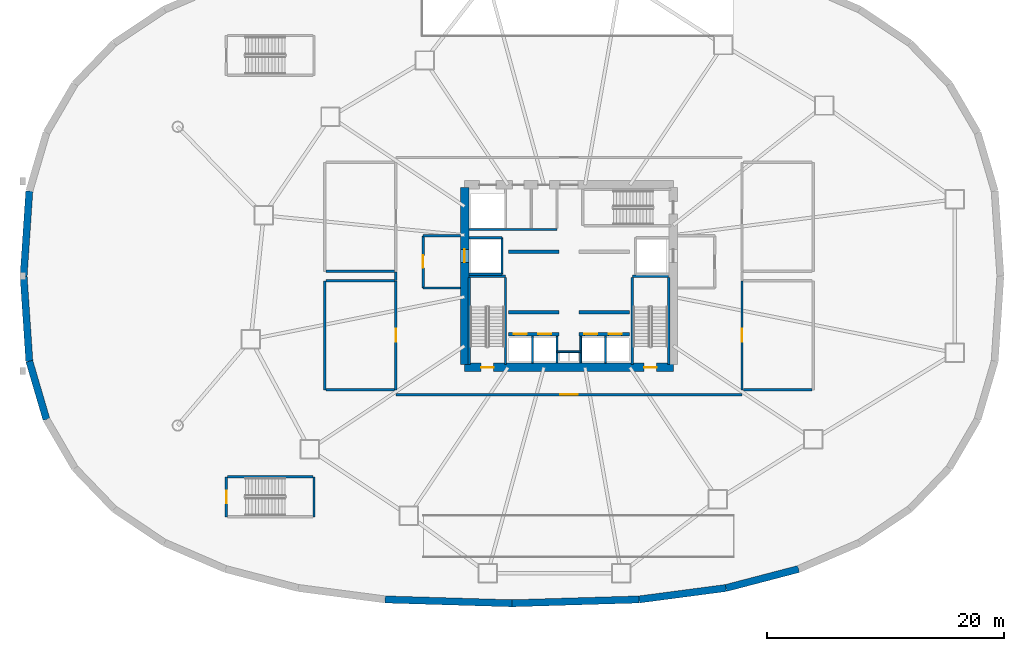
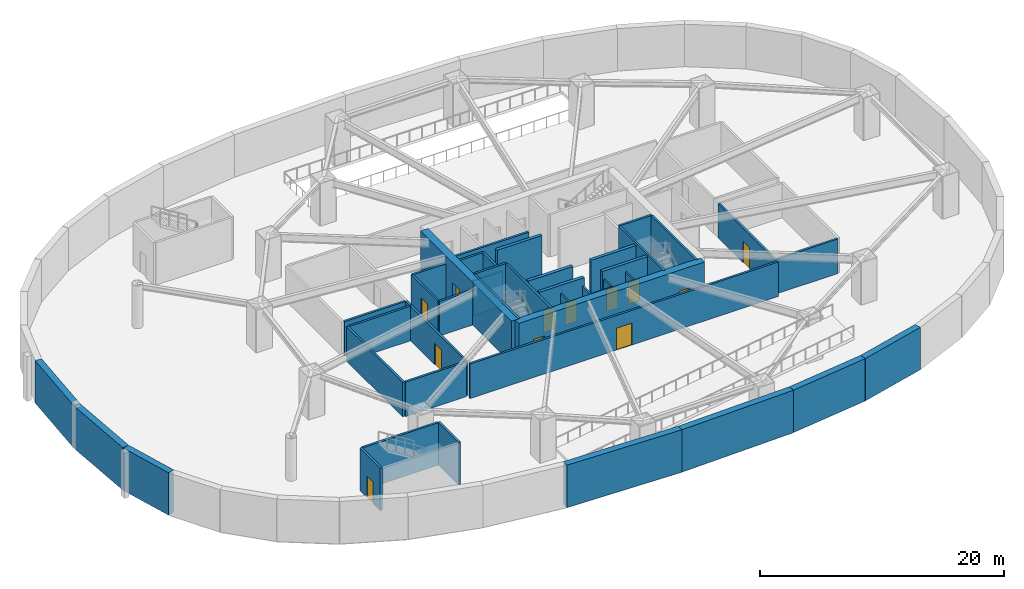
# One storey, part 3 of 10: 44 walls, 12 doors, 12 openings.
"""IFC4 building model written with IfcOpenShell, lengths in metres."""

from ifc_helpers import new_model, si_unit, direction, frame, frame_2d, origin, place, context, subcontext, project, spatial, rectangle, extrude, source, transform, mapped, material, layer, layer_set, type_object, element, fill, save


model = new_model("IFC4")

# Units and contexts
model_context = context("Model", 3, precision=1e-05, world=origin(), true_north=direction((0.0, 1.0)))
body_context = subcontext(model_context, "Body", "Model", "MODEL_VIEW")
ifc_project = project(units=[si_unit("LENGTHUNIT", "METRE"), si_unit("AREAUNIT", "SQUARE_METRE"), si_unit("VOLUMEUNIT", "CUBIC_METRE"), si_unit("PLANEANGLEUNIT", "RADIAN"), si_unit("MASSUNIT", "GRAM", prefix="KILO"), si_unit("THERMODYNAMICTEMPERATUREUNIT", "KELVIN")], contexts=[model_context])

# Site, building, storey
site_placement = place(None, origin())
site = spatial("IfcSite", under=ifc_project, at=site_placement, CompositionType="ELEMENT")
building_placement = place(site_placement, origin())
building = spatial("IfcBuilding", under=site, at=building_placement, Name="Kethvar Cultural Tower", CompositionType="ELEMENT")
storey_placement = place(building_placement, frame((0.0, 0.0, -4.5)))
storey = spatial("IfcBuildingStorey", under=building, at=storey_placement, Name="B01", CompositionType="ELEMENT", Elevation=-4.5)

# Walls
ifc_material_1 = material(Name="Concrete C45/55", Category="concrete")
ifc_layer_1 = layer(ifc_material_1, 0.60009765625, Name="Concrete C45/55", Category="concrete")
ifc_layer_set_1 = layer_set([ifc_layer_1], Name="Concrete C45/55 (600 mm)")
wall_type_1 = type_object("IfcWallType", Name="WL-BSMT-600", PredefinedType="SHEAR", material=ifc_layer_set_1)
wall_1_placement = place(storey_placement, frame((1.2822265625, 34.978515625, 0.0), z_axis=(0.0, 0.0, 1.0), x_axis=(-0.067018998283, -0.997751699507, 0.0)))
element("IfcWall", 1, at=wall_1_placement, inside=storey, type_object=wall_type_1, Name="B01 Perimeter Retaining Wall 18", PredefinedType="SHEAR", context=body_context, shape_type="SweptSolid", body=[
    extrude(rectangle(XDim=7.194580078125, YDim=0.60009765625, at=frame_2d((3.59716796875, 0.0))), origin(), (0.0, 0.0, 1.0), 4.25),
])
wall_2_placement = place(storey_placement, frame((0.800048828125, 27.800048828125, 0.0), z_axis=(0.0, 0.0, 1.0), x_axis=(0.067016729273, -0.997751851914, 0.0)))
element("IfcWall", 2, at=wall_2_placement, inside=storey, type_object=wall_type_1, Name="B01 Perimeter Retaining Wall 19", PredefinedType="SHEAR", context=body_context, shape_type="SweptSolid", body=[
    extrude(rectangle(XDim=7.19482421875, YDim=0.60009765625, at=frame_2d((3.597412109375, 0.0))), origin(), (0.0, 0.0, 1.0), 4.25),
])
wall_3_placement = place(storey_placement, frame((1.2822265625, 20.621337890625, 0.0), z_axis=(0.0, 0.0, 1.0), x_axis=(0.281735210535, -0.959492194416, 0.0)))
element("IfcWall", 3, at=wall_3_placement, inside=storey, type_object=wall_type_1, Name="B01 Perimeter Retaining Wall 20", PredefinedType="SHEAR", context=body_context, shape_type="SweptSolid", body=[
    extrude(rectangle(XDim=5.12060546875, YDim=0.60009765625, at=frame_2d((2.560302734375, 0.0))), origin(), (0.0, 0.0, 1.0), 4.25),
])
for number, where, z_axis, x_axis, name in (
    (4, (31.2841796875, 0.523193359375, 0.0), (0.0, 0.0, 1.0), (0.999545348136, -0.030151235782, 0.0), "B01 Perimeter Retaining Wall 27"),
    (5, (42.0, 0.199951171875, 0.0), (0.0, 0.0, 1.0), (0.999545348136, 0.030151235782, 0.0), "B01 Perimeter Retaining Wall 28"),
):
    element("IfcWall", number, at=place(storey_placement, frame(where, z_axis=z_axis, x_axis=x_axis)), inside=storey, type_object=wall_type_1, Name=name, PredefinedType="SHEAR", context=body_context, shape_type="SweptSolid", body=[
        extrude(rectangle(XDim=10.720703125, YDim=0.60009765625, at=frame_2d((5.3603515625, 0.0))), origin(), (0.0, 0.0, 1.0), 4.25),
    ])
wall_4_placement = place(storey_placement, frame((52.7158203125, 0.523193359375, 0.0), z_axis=(0.0, 0.0, 1.0), x_axis=(0.991431364125, 0.130628673076, 0.0)))
element("IfcWall", 6, at=wall_4_placement, inside=storey, type_object=wall_type_1, Name="B01 Perimeter Retaining Wall 29", PredefinedType="SHEAR", context=body_context, shape_type="SweptSolid", body=[
    extrude(rectangle(XDim=7.3974609375, YDim=0.60009765625, at=frame_2d((3.69873046875, 0.0))), origin(), (0.0, 0.0, 1.0), 4.25),
])
wall_5_placement = place(storey_placement, frame((60.0498046875, 1.489501953125, 0.0), z_axis=(0.0, 0.0, 1.0), x_axis=(0.967458151093, 0.253031076914, 0.0)))
element("IfcWall", 7, at=wall_5_placement, inside=storey, type_object=wall_type_1, Name="B01 Perimeter Retaining Wall 30", PredefinedType="SHEAR", context=body_context, shape_type="SweptSolid", body=[
    extrude(rectangle(XDim=6.32958984375, YDim=0.60009765625, at=frame_2d((3.164794921875, 0.0))), origin(), (0.0, 0.0, 1.0), 4.25),
])

# Wall, openings, doors
ifc_material_2 = material(Name="Concrete C60/75", Category="concrete")
ifc_layer_2 = layer(ifc_material_2, 0.699951171875, Name="Concrete C60/75", Category="concrete")
ifc_layer_set_2 = layer_set([ifc_layer_2], Name="Concrete C60/75 (700 mm)")
wall_type_2 = type_object("IfcWallType", Name="WL-CORE-700", PredefinedType="SHEAR", material=ifc_layer_set_2)
wall_6_placement = place(storey_placement, frame((38.0, 20.10009765625, 0.0), z_axis=(0.0, 0.0, 1.0), x_axis=(1.0, 0.0, 0.0)))
wall_6 = element("IfcWall", 8, at=wall_6_placement, inside=storey, type_object=wall_type_2, Name="B01 Core Shear Wall S", PredefinedType="SHEAR", context=body_context, shape_type="SweptSolid", body=[
    extrude(rectangle(XDim=17.60009765625, YDim=0.699951171875, at=frame_2d((8.800048828125, 0.0))), origin(), (0.0, 0.0, 1.0), 4.25),
])
opening_1_placement = place(wall_6_placement, frame((1.39990234375, 0.0, 0.0)))
opening_1 = element("IfcOpeningElement", 9, at=opening_1_placement, cuts=wall_6, Name="Opening D-B01-S1", PredefinedType="OPENING", context=body_context, shape_type="SweptSolid", body=[
    extrude(rectangle(XDim=1.050048828125, YDim=2.14990234375, at=frame_2d((0.52490234375, 1.074951171875))), frame((0.0, 0.35986328125, 0.0), z_axis=(0.0, -1.0, 0.0), x_axis=(1.0, 0.0, 0.0)), (0.0, 0.0, 1.0), 0.719970703125),
])
opening_2_placement = place(wall_6_placement, frame((15.14990234375, 0.0, 0.0)))
opening_2 = element("IfcOpeningElement", 10, at=opening_2_placement, cuts=wall_6, Name="Opening D-B01-ST2", PredefinedType="OPENING", context=body_context, shape_type="SweptSolid", body=[
    extrude(rectangle(XDim=1.050048828125, YDim=2.14990234375, at=frame_2d((0.52490234375, 1.074951171875))), frame((0.0, 0.35986328125, 0.0), z_axis=(0.0, -1.0, 0.0), x_axis=(1.0, 0.0, 0.0)), (0.0, 0.0, 1.0), 0.719970703125),
])
ifc_material_3 = material(Name="Steel S355J2", Category="steel")
door_type_1 = type_object("IfcDoorType", Name="DR-FD60-1050", OperationType="NOTDEFINED", PredefinedType="DOOR", material=ifc_material_3)
shared_shape_1 = source(origin(), body_context, "Body", "SweptSolid", [
    extrude(rectangle(XDim=1.050048828125, YDim=2.14990234375, at=frame_2d((0.52490234375, 1.074951171875))), frame((0.0, 0.02490234375, 0.0), z_axis=(0.0, -1.0, 0.0), x_axis=(1.0, 0.0, 0.0)), (0.0, 0.0, 1.0), 0.050048828125),
])
door_1_placement = place(opening_1_placement, origin())
door_1 = element("IfcDoor", 11, at=door_1_placement, inside=storey, type_object=door_type_1, Name="B01 Exit Stair 1 Door", OperationType="SINGLE_SWING_LEFT", OverallHeight=2.14990234375, OverallWidth=1.050048828125, PredefinedType="DOOR", context=body_context, shape_type="MappedRepresentation", body=[
    mapped(shared_shape_1, transform((0.0, 0.0, 0.0), scale=1.0)),
])
fill(opening_1, door_1)
door_2_placement = place(opening_2_placement, origin())
door_2 = element("IfcDoor", 12, at=door_2_placement, inside=storey, type_object=door_type_1, Name="B01 Exit Stair 2 Door", OperationType="SINGLE_SWING_RIGHT", OverallHeight=2.14990234375, OverallWidth=1.050048828125, PredefinedType="DOOR", context=body_context, shape_type="MappedRepresentation", body=[
    mapped(shared_shape_1, transform((0.0, 0.0, 0.0), scale=1.0)),
])
fill(opening_2, door_2)

# Wall, opening, door
wall_7_placement = place(storey_placement, frame((38.0, 35.260009765625, 0.0), z_axis=(0.0, 0.0, 1.0), x_axis=(0.0, -1.0, 0.0)))
wall_7 = element("IfcWall", 13, at=wall_7_placement, inside=storey, type_object=wall_type_2, Name="B01 Core Shear Wall W", PredefinedType="SHEAR", context=body_context, shape_type="SweptSolid", body=[
    extrude(rectangle(XDim=14.919921875, YDim=0.699951171875, at=frame_2d((7.4599609375, 0.0))), origin(), (0.0, 0.0, 1.0), 4.25),
])
opening_3_placement = place(wall_7_placement, frame((5.2099609375, 0.0, 0.0)))
opening_3 = element("IfcOpeningElement", 14, at=opening_3_placement, cuts=wall_7, Name="Opening LD-1", PredefinedType="OPENING", context=body_context, shape_type="SweptSolid", body=[
    extrude(rectangle(XDim=1.10009765625, YDim=2.199951171875, at=frame_2d((0.550048828125, 1.10009765625))), frame((0.0, 0.35986328125, 0.0), z_axis=(0.0, -1.0, 0.0), x_axis=(1.0, 0.0, 0.0)), (0.0, 0.0, 1.0), 0.719970703125),
])
door_type_2 = type_object("IfcDoorType", Name="DR-LIFT-SLIDE-1100", OperationType="NOTDEFINED", PredefinedType="DOOR", material=ifc_material_3)
shared_shape_2 = source(origin(), body_context, "Body", "SweptSolid", [
    extrude(rectangle(XDim=1.10009765625, YDim=2.199951171875, at=frame_2d((0.550048828125, 1.10009765625))), frame((0.0, 0.02490234375, 0.0), z_axis=(0.0, -1.0, 0.0), x_axis=(1.0, 0.0, 0.0)), (0.0, 0.0, 1.0), 0.050048828125),
])
door_3_placement = place(opening_3_placement, origin())
door_3 = element("IfcDoor", 15, at=door_3_placement, inside=storey, type_object=door_type_2, Name="B01 Firefighting Lift Landing Door FFL-01", OperationType="SLIDING_TO_LEFT", OverallHeight=2.199951171875, OverallWidth=1.10009765625, PredefinedType="DOOR", context=body_context, shape_type="MappedRepresentation", body=[
    mapped(shared_shape_2, transform((0.0, 0.0, 0.0), scale=1.0)),
])
fill(opening_3, door_3)

# Walls
ifc_material_4 = material(Name="Gypsum Fireboard Partition")
ifc_layer_3 = layer(ifc_material_4, 0.14990234375, Name="Gypsum Fireboard Partition")
ifc_layer_set_3 = layer_set([ifc_layer_3], Name="Gypsum Fireboard Partition (150 mm)")
wall_type_3 = type_object("IfcWallType", Name="WL-FIRE-150", PredefinedType="PARTITIONING", material=ifc_layer_set_3)
wall_8_placement = place(storey_placement, frame((45.800048828125, 21.419921875, 0.0), z_axis=(0.0, 0.0, 1.0), x_axis=(1.0, 0.0, 0.0)))
element("IfcWall", 16, at=wall_8_placement, inside=storey, type_object=wall_type_3, Name="B01 Core Riser Wall", PredefinedType="PARTITIONING", context=body_context, shape_type="SweptSolid", body=[
    extrude(rectangle(XDim=2.0, YDim=0.14990234375, at=frame_2d((1.0, 0.0))), origin(), (0.0, 0.0, 1.0), 3.462890625),
])
for number, where, z_axis, x_axis, name in (
    (17, (45.800048828125, 20.47998046875, 0.0), (0.0, 0.0, 1.0), (0.0, 1.0, 0.0), "B01 Core Riser West Wall"),
    (18, (47.800048828125, 20.47998046875, 0.0), (0.0, 0.0, 1.0), (0.0, 1.0, 0.0), "B01 Core Riser East Wall"),
):
    element("IfcWall", number, at=place(storey_placement, frame(where, z_axis=z_axis, x_axis=x_axis)), inside=storey, type_object=wall_type_3, Name=name, PredefinedType="PARTITIONING", context=body_context, shape_type="SweptSolid", body=[
        extrude(rectangle(XDim=2.239990234375, YDim=0.14990234375, at=frame_2d((1.1201171875, 0.0))), origin(), (0.0, 0.0, 1.0), 3.462890625),
    ])
for number, where, z_axis, x_axis, name in (
    (19, (43.72509765625, 20.4599609375, 0.0), (0.0, 0.0, 1.0), (0.0, 1.0, 0.0), "B01 Low-Rise Lift Shaft Divider W"),
    (20, (49.875, 20.4599609375, 0.0), (0.0, 0.0, 1.0), (0.0, 1.0, 0.0), "B01 Low-Rise Lift Shaft Divider E"),
):
    element("IfcWall", number, at=place(storey_placement, frame(where, z_axis=z_axis, x_axis=x_axis)), inside=storey, type_object=wall_type_3, Name=name, PredefinedType="PARTITIONING", context=body_context, shape_type="SweptSolid", body=[
        extrude(rectangle(XDim=2.27001953125, YDim=0.14990234375, at=frame_2d((1.135009765625, 0.0))), origin(), (0.0, 0.0, 1.0), 3.462890625),
    ])
ifc_material_5 = material(Name="Concrete C40/50", Category="concrete")
ifc_layer_4 = layer(ifc_material_5, 0.199951171875, Name="Concrete C40/50", Category="concrete")
ifc_layer_set_4 = layer_set([ifc_layer_4], Name="Concrete C40/50 (200 mm)")
wall_type_4 = type_object("IfcWallType", Name="WL-FIRE-200", PredefinedType="PARTITIONING", material=ifc_layer_set_4)
wall_9_placement = place(storey_placement, frame((41.14990234375, 27.949951171875, 0.0), z_axis=(0.0, 0.0, 1.0), x_axis=(0.0, 1.0, 0.0)))
element("IfcWall", 21, at=wall_9_placement, inside=storey, type_object=wall_type_4, Name="B01 FFL-01 Shaft Inner Wall", PredefinedType="PARTITIONING", context=body_context, shape_type="SweptSolid", body=[
    extrude(rectangle(XDim=3.10009765625, YDim=0.199951171875, at=frame_2d((1.550048828125, 0.0))), origin(), (0.0, 0.0, 1.0), 3.462890625),
])
for number, where, z_axis, x_axis, name in (
    (22, (38.360107421875, 27.949951171875, 0.0), (0.0, 0.0, 1.0), (1.0, 0.0, 0.0), "B01 FFL-01 Shaft South Wall"),
    (23, (38.360107421875, 31.050048828125, 0.0), (0.0, 0.0, 1.0), (1.0, 0.0, 0.0), "B01 FFL-01 Shaft North Wall"),
):
    element("IfcWall", number, at=place(storey_placement, frame(where, z_axis=z_axis, x_axis=x_axis)), inside=storey, type_object=wall_type_4, Name=name, PredefinedType="PARTITIONING", context=body_context, shape_type="SweptSolid", body=[
        extrude(rectangle(XDim=2.789794921875, YDim=0.199951171875, at=frame_2d((1.39501953125, 0.0))), origin(), (0.0, 0.0, 1.0), 3.462890625),
    ])

# Wall, opening, door
wall_10_placement = place(storey_placement, frame((34.5, 31.199951171875, 0.0), z_axis=(0.0, 0.0, 1.0), x_axis=(0.0, -1.0, 0.0)))
wall_10 = element("IfcWall", 24, at=wall_10_placement, inside=storey, type_object=wall_type_4, Name="B01 Firefighting Lobby 1 Wall", PredefinedType="PARTITIONING", context=body_context, shape_type="SweptSolid", body=[
    extrude(rectangle(XDim=4.39990234375, YDim=0.199951171875, at=frame_2d((2.199951171875, 0.0))), origin(), (0.0, 0.0, 1.0), 3.462890625),
])
opening_4_placement = place(wall_10_placement, frame((1.64990234375, 0.0, 0.0)))
opening_4 = element("IfcOpeningElement", 25, at=opening_4_placement, cuts=wall_10, Name="Opening D-B01-F1", PredefinedType="OPENING", context=body_context, shape_type="SweptSolid", body=[
    extrude(rectangle(XDim=1.050048828125, YDim=2.14990234375, at=frame_2d((0.52490234375, 1.074951171875))), frame((0.0, 0.10986328125, 0.0), z_axis=(0.0, -1.0, 0.0), x_axis=(1.0, 0.0, 0.0)), (0.0, 0.0, 1.0), 0.219970703125),
])
door_4_placement = place(opening_4_placement, origin())
door_4 = element("IfcDoor", 26, at=door_4_placement, inside=storey, type_object=door_type_1, Name="B01 Firefighting Lobby 1 Fire Door", OperationType="SINGLE_SWING_LEFT", OverallHeight=2.14990234375, OverallWidth=1.050048828125, PredefinedType="DOOR", context=body_context, shape_type="MappedRepresentation", body=[
    mapped(shared_shape_1, transform((0.0, 0.0, 0.0), scale=1.0)),
])
fill(opening_4, door_4)

# Walls
for number, where, z_axis, x_axis, name in (
    (27, (34.5, 26.800048828125, 0.0), (0.0, 0.0, 1.0), (1.0, 0.0, 0.0), "B01 FF Lobby 1 South Wall"),
    (28, (34.5, 31.199951171875, 0.0), (0.0, 0.0, 1.0), (1.0, 0.0, 0.0), "B01 FF Lobby 1 North Wall"),
):
    element("IfcWall", number, at=place(storey_placement, frame(where, z_axis=z_axis, x_axis=x_axis)), inside=storey, type_object=wall_type_4, Name=name, PredefinedType="PARTITIONING", context=body_context, shape_type="SweptSolid", body=[
        extrude(rectangle(XDim=3.139892578125, YDim=0.199951171875, at=frame_2d((1.56982421875, 0.0))), origin(), (0.0, 0.0, 1.0), 3.462890625),
    ])
wall_11_placement = place(storey_placement, frame((38.360107421875, 31.72998046875, 0.0), z_axis=(0.0, 0.0, 1.0), x_axis=(1.0, 0.0, 0.0)))
element("IfcWall", 29, at=wall_11_placement, inside=storey, type_object=wall_type_4, Name="B01 North Core Sanitary South Wall", PredefinedType="PARTITIONING", context=body_context, shape_type="SweptSolid", body=[
    extrude(rectangle(XDim=7.43994140625, YDim=0.199951171875, at=frame_2d((3.719970703125, 0.0))), origin(), (0.0, 0.0, 1.0), 3.462890625),
])

# Wall, opening, door
wall_12_placement = place(storey_placement, frame((32.199951171875, 18.199951171875, 0.0), z_axis=(0.0, 0.0, 1.0), x_axis=(0.0, 1.0, 0.0)))
wall_12 = element("IfcWall", 30, at=wall_12_placement, inside=storey, type_object=wall_type_4, Name="B01 Art-Crate Receiving Vault Front Wall", PredefinedType="PARTITIONING", context=body_context, shape_type="SweptSolid", body=[
    extrude(rectangle(XDim=9.199951171875, YDim=0.199951171875, at=frame_2d((4.60009765625, 0.0))), origin(), (0.0, 0.0, 1.0), 3.462890625),
])
opening_5_placement = place(wall_12_placement, frame((4.050048828125, 0.0, 0.0)))
opening_5 = element("IfcOpeningElement", 31, at=opening_5_placement, cuts=wall_12, Name="Opening D-B01-B1", PredefinedType="OPENING", context=body_context, shape_type="SweptSolid", body=[
    extrude(rectangle(XDim=1.10009765625, YDim=2.14990234375, at=frame_2d((0.550048828125, 1.074951171875))), frame((0.0, 0.10986328125, 0.0), z_axis=(0.0, -1.0, 0.0), x_axis=(1.0, 0.0, 0.0)), (0.0, 0.0, 1.0), 0.219970703125),
])
door_type_3 = type_object("IfcDoorType", Name="DR-FD60-1100", OperationType="NOTDEFINED", PredefinedType="DOOR", material=ifc_material_3)
shared_shape_3 = source(origin(), body_context, "Body", "SweptSolid", [
    extrude(rectangle(XDim=1.10009765625, YDim=2.14990234375, at=frame_2d((0.550048828125, 1.074951171875))), frame((0.0, 0.02490234375, 0.0), z_axis=(0.0, -1.0, 0.0), x_axis=(1.0, 0.0, 0.0)), (0.0, 0.0, 1.0), 0.050048828125),
])
door_5_placement = place(opening_5_placement, origin())
door_5 = element("IfcDoor", 32, at=door_5_placement, inside=storey, type_object=door_type_3, Name="B01 Art-Crate Receiving Vault Door", OperationType="SINGLE_SWING_LEFT", OverallHeight=2.14990234375, OverallWidth=1.10009765625, PredefinedType="DOOR", context=body_context, shape_type="MappedRepresentation", body=[
    mapped(shared_shape_3, transform((0.0, 0.0, 0.0), scale=1.0)),
])
fill(opening_5, door_5)

# Walls
wall_13_placement = place(storey_placement, frame((26.199951171875, 18.199951171875, 0.0), z_axis=(0.0, 0.0, 1.0), x_axis=(0.0, 1.0, 0.0)))
element("IfcWall", 33, at=wall_13_placement, inside=storey, type_object=wall_type_4, Name="B01 Art-Crate Receiving Vault Back Wall", PredefinedType="PARTITIONING", context=body_context, shape_type="SweptSolid", body=[
    extrude(rectangle(XDim=9.199951171875, YDim=0.199951171875, at=frame_2d((4.60009765625, 0.0))), origin(), (0.0, 0.0, 1.0), 3.462890625),
])
for number, where, z_axis, x_axis, name in (
    (34, (26.31005859375, 18.199951171875, 0.0), (0.0, 0.0, 1.0), (1.0, 0.0, 0.0), "B01 Art-Crate Receiving Vault South Wall"),
    (35, (26.31005859375, 27.39990234375, 0.0), (0.0, 0.0, 1.0), (1.0, 0.0, 0.0), "B01 Art-Crate Receiving Vault North Wall"),
    (36, (26.31005859375, 28.199951171875, 0.0), (0.0, 0.0, 1.0), (1.0, 0.0, 0.0), "B01 Conservation Quarantine Room South Wall"),
):
    element("IfcWall", number, at=place(storey_placement, frame(where, z_axis=z_axis, x_axis=x_axis)), inside=storey, type_object=wall_type_4, Name=name, PredefinedType="PARTITIONING", context=body_context, shape_type="SweptSolid", body=[
        extrude(rectangle(XDim=5.780029296875, YDim=0.199951171875, at=frame_2d((2.89013671875, 0.0))), origin(), (0.0, 0.0, 1.0), 3.462890625),
    ])

# Wall, opening, door
wall_14_placement = place(storey_placement, frame((61.39990234375, 18.199951171875, 0.0), z_axis=(0.0, 0.0, 1.0), x_axis=(0.0, 1.0, 0.0)))
wall_14 = element("IfcWall", 37, at=wall_14_placement, inside=storey, type_object=wall_type_4, Name="B01 Domestic Water Plant Room Front Wall", PredefinedType="PARTITIONING", context=body_context, shape_type="SweptSolid", body=[
    extrude(rectangle(XDim=9.199951171875, YDim=0.199951171875, at=frame_2d((4.60009765625, 0.0))), origin(), (0.0, 0.0, 1.0), 3.462890625),
])
opening_6_placement = place(wall_14_placement, frame((4.050048828125, 0.0, 0.0)))
opening_6 = element("IfcOpeningElement", 38, at=opening_6_placement, cuts=wall_14, Name="Opening D-B01-B3", PredefinedType="OPENING", context=body_context, shape_type="SweptSolid", body=[
    extrude(rectangle(XDim=1.10009765625, YDim=2.14990234375, at=frame_2d((0.550048828125, 1.074951171875))), frame((0.0, 0.10986328125, 0.0), z_axis=(0.0, -1.0, 0.0), x_axis=(1.0, 0.0, 0.0)), (0.0, 0.0, 1.0), 0.219970703125),
])
door_6_placement = place(opening_6_placement, origin())
door_6 = element("IfcDoor", 39, at=door_6_placement, inside=storey, type_object=door_type_3, Name="B01 Domestic Water Plant Room Door", OperationType="SINGLE_SWING_LEFT", OverallHeight=2.14990234375, OverallWidth=1.10009765625, PredefinedType="DOOR", context=body_context, shape_type="MappedRepresentation", body=[
    mapped(shared_shape_3, transform((0.0, 0.0, 0.0), scale=1.0)),
])
fill(opening_6, door_6)

# Walls
wall_15_placement = place(storey_placement, frame((61.510009765625, 18.199951171875, 0.0), z_axis=(0.0, 0.0, 1.0), x_axis=(1.0, 0.0, 0.0)))
element("IfcWall", 40, at=wall_15_placement, inside=storey, type_object=wall_type_4, Name="B01 Domestic Water Plant Room South Wall", PredefinedType="PARTITIONING", context=body_context, shape_type="SweptSolid", body=[
    extrude(rectangle(XDim=5.780029296875, YDim=0.199951171875, at=frame_2d((2.89013671875, 0.0))), origin(), (0.0, 0.0, 1.0), 3.462890625),
])
wall_16_placement = place(storey_placement, frame((32.199951171875, 27.449951171875, 0.0), z_axis=(0.0, 0.0, 1.0), x_axis=(0.0, 1.0, 0.0)))
element("IfcWall", 41, at=wall_16_placement, inside=storey, type_object=wall_type_4, Name="B01 Plant Corridor Gap Wall W", PredefinedType="PARTITIONING", context=body_context, shape_type="SweptSolid", body=[
    extrude(rectangle(XDim=0.699951171875, YDim=0.199951171875, at=frame_2d((0.35009765625, 0.0))), origin(), (0.0, 0.0, 1.0), 3.462890625),
])

# Wall, opening, door
wall_17_placement = place(storey_placement, frame((32.199951171875, 17.800048828125, 0.0), z_axis=(0.0, 0.0, 1.0), x_axis=(1.0, 0.0, 0.0)))
wall_17 = element("IfcWall", 42, at=wall_17_placement, inside=storey, type_object=wall_type_4, Name="B01 Basement Vestibule Wall S", PredefinedType="PARTITIONING", context=body_context, shape_type="SweptSolid", body=[
    extrude(rectangle(XDim=29.199951171875, YDim=0.199951171875, at=frame_2d((14.60009765625, 0.0))), origin(), (0.0, 0.0, 1.0), 3.462890625),
])
opening_7_placement = place(wall_17_placement, frame((13.85009765625, 0.0, 0.0)))
opening_7 = element("IfcOpeningElement", 43, at=opening_7_placement, cuts=wall_17, Name="Opening D-B01-CPS", PredefinedType="OPENING", context=body_context, shape_type="SweptSolid", body=[
    extrude(rectangle(XDim=1.5, YDim=2.199951171875, at=frame_2d((0.75, 1.10009765625))), frame((0.0, 0.10986328125, 0.0), z_axis=(0.0, -1.0, 0.0), x_axis=(1.0, 0.0, 0.0)), (0.0, 0.0, 1.0), 0.219970703125),
])
ifc_material_6 = material(Name="Architectural Oak Timber", Category="wood")
door_type_4 = type_object("IfcDoorType", Name="DR-DBL-FD60-1500", OperationType="DOUBLE_DOOR_SINGLE_SWING", PredefinedType="DOOR", material=ifc_material_6)
shared_shape_4 = source(origin(), body_context, "Body", "SweptSolid", [
    extrude(rectangle(XDim=1.5, YDim=2.199951171875, at=frame_2d((0.75, 1.10009765625))), frame((0.0, 0.02490234375, 0.0), z_axis=(0.0, -1.0, 0.0), x_axis=(1.0, 0.0, 0.0)), (0.0, 0.0, 1.0), 0.050048828125),
])
door_7_placement = place(opening_7_placement, origin())
door_7 = element("IfcDoor", 44, at=door_7_placement, inside=storey, type_object=door_type_4, Name="B01 Car Park Vestibule Door S", OperationType="DOUBLE_DOOR_SINGLE_SWING", OverallHeight=2.199951171875, OverallWidth=1.5, PredefinedType="DOOR", context=body_context, shape_type="MappedRepresentation", body=[
    mapped(shared_shape_4, transform((0.0, 0.0, 0.0), scale=1.0)),
])
fill(opening_7, door_7)

# Wall, openings, doors
ifc_material_7 = material(Name="Concrete C50/60", Category="concrete")
ifc_layer_5 = layer(ifc_material_7, 0.300048828125, Name="Concrete C50/60", Category="concrete")
ifc_layer_set_5 = layer_set([ifc_layer_5], Name="Concrete C50/60 (300 mm)")
wall_type_5 = type_object("IfcWallType", Name="WL-SHAFT-300", PredefinedType="SHEAR", material=ifc_layer_set_5)
wall_18_placement = place(storey_placement, frame((41.699951171875, 22.89990234375, 0.0), z_axis=(0.0, 0.0, 1.0), x_axis=(1.0, 0.0, 0.0)))
wall_18 = element("IfcWall", 45, at=wall_18_placement, inside=storey, type_object=wall_type_5, Name="B01 Core Lift Spine Wall MID1W", PredefinedType="SHEAR", context=body_context, shape_type="SweptSolid", body=[
    extrude(rectangle(XDim=4.25, YDim=0.300048828125, at=frame_2d((2.125, 0.0))), origin(), (0.0, 0.0, 1.0), 4.25),
])
opening_8_placement = place(wall_18_placement, frame((0.449951171875, 0.0, 0.0)))
opening_8 = element("IfcOpeningElement", 46, at=opening_8_placement, cuts=wall_18, Name="Opening LD-L1", PredefinedType="OPENING", context=body_context, shape_type="SweptSolid", body=[
    extrude(rectangle(XDim=1.10009765625, YDim=2.199951171875, at=frame_2d((0.550048828125, 1.10009765625))), frame((0.0, 0.159912109375, 0.0), z_axis=(0.0, -1.0, 0.0), x_axis=(1.0, 0.0, 0.0)), (0.0, 0.0, 1.0), 0.320068359375),
])
opening_9_placement = place(wall_18_placement, frame((2.5, 0.0, 0.0)))
opening_9 = element("IfcOpeningElement", 47, at=opening_9_placement, cuts=wall_18, Name="Opening LD-L2", PredefinedType="OPENING", context=body_context, shape_type="SweptSolid", body=[
    extrude(rectangle(XDim=1.10009765625, YDim=2.199951171875, at=frame_2d((0.550048828125, 1.10009765625))), frame((0.0, 0.159912109375, 0.0), z_axis=(0.0, -1.0, 0.0), x_axis=(1.0, 0.0, 0.0)), (0.0, 0.0, 1.0), 0.320068359375),
])
door_8_placement = place(opening_8_placement, origin())
door_8 = element("IfcDoor", 48, at=door_8_placement, inside=storey, type_object=door_type_2, Name="B01 Low-Rise Lift Landing Door L1", OperationType="SLIDING_TO_LEFT", OverallHeight=2.199951171875, OverallWidth=1.10009765625, PredefinedType="DOOR", context=body_context, shape_type="MappedRepresentation", body=[
    mapped(shared_shape_2, transform((0.0, 0.0, 0.0), scale=1.0)),
])
fill(opening_8, door_8)
door_9_placement = place(opening_9_placement, origin())
door_9 = element("IfcDoor", 49, at=door_9_placement, inside=storey, type_object=door_type_2, Name="B01 Low-Rise Lift Landing Door L2", OperationType="SLIDING_TO_LEFT", OverallHeight=2.199951171875, OverallWidth=1.10009765625, PredefinedType="DOOR", context=body_context, shape_type="MappedRepresentation", body=[
    mapped(shared_shape_2, transform((0.0, 0.0, 0.0), scale=1.0)),
])
fill(opening_9, door_9)

wall_19_placement = place(storey_placement, frame((47.64990234375, 22.89990234375, 0.0), z_axis=(0.0, 0.0, 1.0), x_axis=(1.0, 0.0, 0.0)))
wall_19 = element("IfcWall", 50, at=wall_19_placement, inside=storey, type_object=wall_type_5, Name="B01 Core Lift Spine Wall MID1E", PredefinedType="SHEAR", context=body_context, shape_type="SweptSolid", body=[
    extrude(rectangle(XDim=4.25, YDim=0.300048828125, at=frame_2d((2.125, 0.0))), origin(), (0.0, 0.0, 1.0), 4.25),
])
opening_10_placement = place(wall_19_placement, frame((0.449951171875, 0.0, 0.0)))
opening_10 = element("IfcOpeningElement", 51, at=opening_10_placement, cuts=wall_19, Name="Opening LD-L3", PredefinedType="OPENING", context=body_context, shape_type="SweptSolid", body=[
    extrude(rectangle(XDim=1.10009765625, YDim=2.199951171875, at=frame_2d((0.550048828125, 1.10009765625))), frame((0.0, 0.159912109375, 0.0), z_axis=(0.0, -1.0, 0.0), x_axis=(1.0, 0.0, 0.0)), (0.0, 0.0, 1.0), 0.320068359375),
])
opening_11_placement = place(wall_19_placement, frame((2.5, 0.0, 0.0)))
opening_11 = element("IfcOpeningElement", 52, at=opening_11_placement, cuts=wall_19, Name="Opening LD-L4", PredefinedType="OPENING", context=body_context, shape_type="SweptSolid", body=[
    extrude(rectangle(XDim=1.10009765625, YDim=2.199951171875, at=frame_2d((0.550048828125, 1.10009765625))), frame((0.0, 0.159912109375, 0.0), z_axis=(0.0, -1.0, 0.0), x_axis=(1.0, 0.0, 0.0)), (0.0, 0.0, 1.0), 0.320068359375),
])
door_10_placement = place(opening_10_placement, origin())
door_10 = element("IfcDoor", 53, at=door_10_placement, inside=storey, type_object=door_type_2, Name="B01 Low-Rise Lift Landing Door L3", OperationType="SLIDING_TO_LEFT", OverallHeight=2.199951171875, OverallWidth=1.10009765625, PredefinedType="DOOR", context=body_context, shape_type="MappedRepresentation", body=[
    mapped(shared_shape_2, transform((0.0, 0.0, 0.0), scale=1.0)),
])
fill(opening_10, door_10)
door_11_placement = place(opening_11_placement, origin())
door_11 = element("IfcDoor", 54, at=door_11_placement, inside=storey, type_object=door_type_2, Name="B01 Low-Rise Lift Landing Door L4", OperationType="SLIDING_TO_LEFT", OverallHeight=2.199951171875, OverallWidth=1.10009765625, PredefinedType="DOOR", context=body_context, shape_type="MappedRepresentation", body=[
    mapped(shared_shape_2, transform((0.0, 0.0, 0.0), scale=1.0)),
])
fill(opening_11, door_11)

# Walls
for number, where, z_axis, x_axis, name in (
    (55, (41.699951171875, 24.75, 0.0), (0.0, 0.0, 1.0), (1.0, 0.0, 0.0), "B01 Core Lift Spine Wall MID2W"),
    (56, (47.64990234375, 24.75, 0.0), (0.0, 0.0, 1.0), (1.0, 0.0, 0.0), "B01 Core Lift Spine Wall MID2E"),
    (57, (41.699951171875, 29.85009765625, 0.0), (0.0, 0.0, 1.0), (1.0, 0.0, 0.0), "B01 Core Lift Spine Wall MID3W"),
):
    element("IfcWall", number, at=place(storey_placement, frame(where, z_axis=z_axis, x_axis=x_axis)), inside=storey, type_object=wall_type_5, Name=name, PredefinedType="SHEAR", context=body_context, shape_type="SweptSolid", body=[
        extrude(rectangle(XDim=4.25, YDim=0.300048828125, at=frame_2d((2.125, 0.0))), origin(), (0.0, 0.0, 1.0), 4.25),
    ])
ifc_layer_6 = layer(ifc_material_7, 0.199951171875, Name="Concrete C50/60", Category="concrete")
ifc_layer_set_6 = layer_set([ifc_layer_6], Name="Concrete C50/60 (200 mm)")
wall_type_6 = type_object("IfcWallType", Name="WL-STSHAFT-200", PredefinedType="SHEAR", material=ifc_layer_set_6)
wall_20_placement = place(storey_placement, frame((38.389892578125, 27.800048828125, 0.0), z_axis=(0.0, 0.0, 1.0), x_axis=(1.0, 0.0, 0.0)))
element("IfcWall", 58, at=wall_20_placement, inside=storey, type_object=wall_type_6, Name="B01 ST-01 Stair Shaft Wall FAR", PredefinedType="SHEAR", context=body_context, shape_type="SweptSolid", body=[
    extrude(rectangle(XDim=3.06005859375, YDim=0.199951171875, at=frame_2d((1.530029296875, 0.0))), origin(), (0.0, 0.0, 1.0), 4.25),
])
for number, where, z_axis, x_axis, name in (
    (59, (41.449951171875, 27.699951171875, 0.0), (0.0, 0.0, 1.0), (0.0, -1.0, 0.0), "B01 ST-01 Stair Shaft Wall LEFT"),
    (60, (38.389892578125, 20.35009765625, 0.0), (0.0, 0.0, 1.0), (0.0, 1.0, 0.0), "B01 ST-01 Stair Shaft Wall RIGHT"),
):
    element("IfcWall", number, at=place(storey_placement, frame(where, z_axis=z_axis, x_axis=x_axis)), inside=storey, type_object=wall_type_6, Name=name, PredefinedType="SHEAR", context=body_context, shape_type="SweptSolid", body=[
        extrude(rectangle(XDim=7.349853515625, YDim=0.199951171875, at=frame_2d((3.6748046875, 0.0))), origin(), (0.0, 0.0, 1.0), 4.25),
    ])
wall_21_placement = place(storey_placement, frame((52.14990234375, 27.800048828125, 0.0), z_axis=(0.0, 0.0, 1.0), x_axis=(1.0, 0.0, 0.0)))
element("IfcWall", 61, at=wall_21_placement, inside=storey, type_object=wall_type_6, Name="B01 ST-02 Stair Shaft Wall FAR", PredefinedType="SHEAR", context=body_context, shape_type="SweptSolid", body=[
    extrude(rectangle(XDim=3.06005859375, YDim=0.199951171875, at=frame_2d((1.530029296875, 0.0))), origin(), (0.0, 0.0, 1.0), 4.25),
])
for number, where, z_axis, x_axis, name in (
    (62, (55.2099609375, 27.699951171875, 0.0), (0.0, 0.0, 1.0), (0.0, -1.0, 0.0), "B01 ST-02 Stair Shaft Wall LEFT"),
    (63, (52.14990234375, 20.35009765625, 0.0), (0.0, 0.0, 1.0), (0.0, 1.0, 0.0), "B01 ST-02 Stair Shaft Wall RIGHT"),
):
    element("IfcWall", number, at=place(storey_placement, frame(where, z_axis=z_axis, x_axis=x_axis)), inside=storey, type_object=wall_type_6, Name=name, PredefinedType="SHEAR", context=body_context, shape_type="SweptSolid", body=[
        extrude(rectangle(XDim=7.349853515625, YDim=0.199951171875, at=frame_2d((3.6748046875, 0.0))), origin(), (0.0, 0.0, 1.0), 4.25),
    ])

# Wall, opening, door
wall_22_placement = place(storey_placement, frame((17.89990234375, 7.5, 0.0), z_axis=(0.0, 0.0, 1.0), x_axis=(0.0, 1.0, 0.0)))
wall_22 = element("IfcWall", 64, at=wall_22_placement, inside=storey, type_object=wall_type_6, Name="B01 ST-04 Stair Shaft Wall NEAR", PredefinedType="SHEAR", context=body_context, shape_type="SweptSolid", body=[
    extrude(rectangle(XDim=3.360107421875, YDim=0.199951171875, at=frame_2d((1.68017578125, 0.0))), origin(), (0.0, 0.0, 1.0), 4.25),
])
opening_12_placement = place(wall_22_placement, frame((1.155029296875, 0.0, 0.0)))
opening_12 = element("IfcOpeningElement", 65, at=opening_12_placement, cuts=wall_22, Name="Opening D-B01-ST4", PredefinedType="OPENING", context=body_context, shape_type="SweptSolid", body=[
    extrude(rectangle(XDim=1.050048828125, YDim=2.14990234375, at=frame_2d((0.52490234375, 1.074951171875))), frame((0.0, 0.10986328125, 0.0), z_axis=(0.0, -1.0, 0.0), x_axis=(1.0, 0.0, 0.0)), (0.0, 0.0, 1.0), 0.219970703125),
])
door_12_placement = place(opening_12_placement, origin())
door_12 = element("IfcDoor", 66, at=door_12_placement, inside=storey, type_object=door_type_1, Name="B01 ST-04 Stair Landing Fire Door", OperationType="SINGLE_SWING_LEFT", OverallHeight=2.14990234375, OverallWidth=1.050048828125, PredefinedType="DOOR", context=body_context, shape_type="MappedRepresentation", body=[
    mapped(shared_shape_1, transform((0.0, 0.0, 0.0), scale=1.0)),
])
fill(opening_12, door_12)

# Walls
wall_23_placement = place(storey_placement, frame((25.300048828125, 10.860107421875, 0.0), z_axis=(0.0, 0.0, 1.0), x_axis=(0.0, -1.0, 0.0)))
element("IfcWall", 67, at=wall_23_placement, inside=storey, type_object=wall_type_6, Name="B01 ST-04 Stair Shaft Wall FAR", PredefinedType="SHEAR", context=body_context, shape_type="SweptSolid", body=[
    extrude(rectangle(XDim=3.360107421875, YDim=0.199951171875, at=frame_2d((1.68017578125, 0.0))), origin(), (0.0, 0.0, 1.0), 4.25),
])
wall_24_placement = place(storey_placement, frame((18.0, 10.860107421875, 0.0), z_axis=(0.0, 0.0, 1.0), x_axis=(1.0, 0.0, 0.0)))
element("IfcWall", 68, at=wall_24_placement, inside=storey, type_object=wall_type_6, Name="B01 ST-04 Stair Shaft Wall RIGHT", PredefinedType="SHEAR", context=body_context, shape_type="SweptSolid", body=[
    extrude(rectangle(XDim=7.199951171875, YDim=0.199951171875, at=frame_2d((3.60009765625, 0.0))), origin(), (0.0, 0.0, 1.0), 4.25),
])

save(model, "model.ifc")
